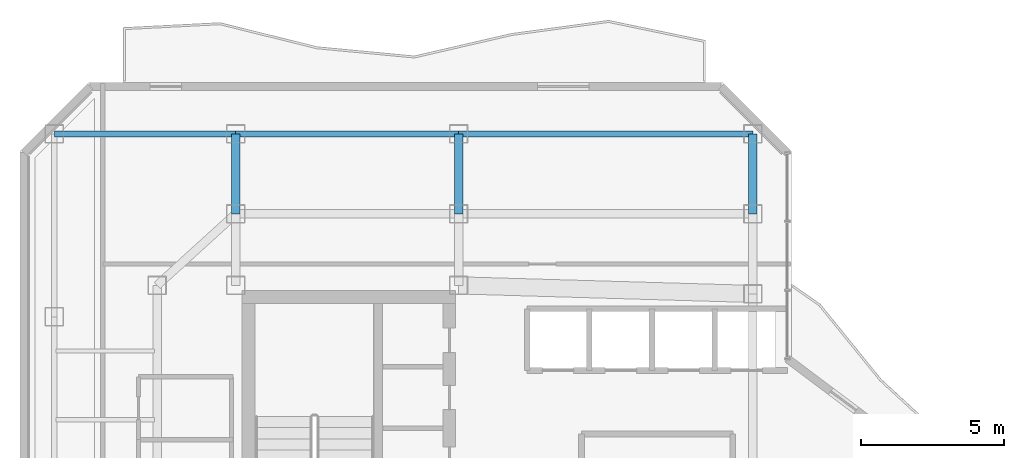
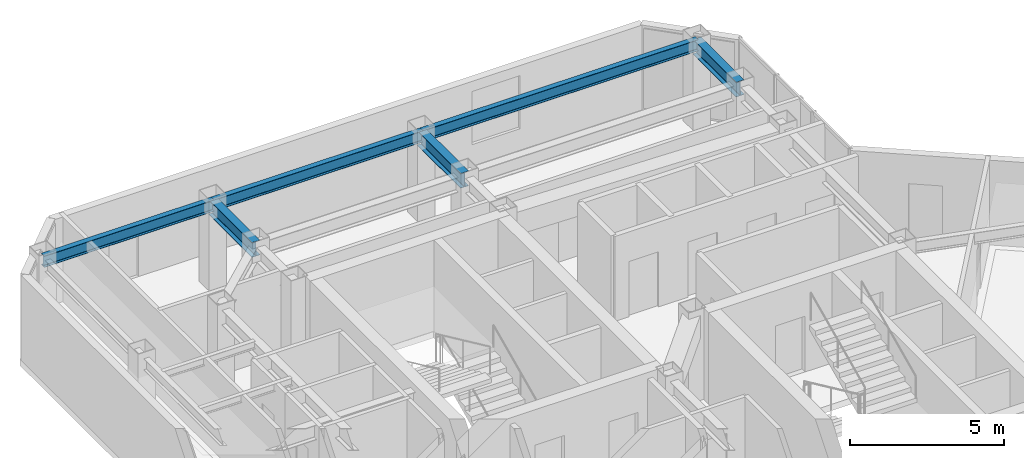
# One storey, part 11 of 18: 6 beams.
"""IFC4 building model written with IfcOpenShell, lengths in metres."""

from ifc_helpers import new_model, si_unit, direction, frame, origin, origin_2d, place, context, subcontext, project, spatial, i_section, extrude, material, material_profile, profile_set, type_object, element, save


model = new_model("IFC4")

# Units and contexts
model_context = context("Model", 3, precision=1e-05, world=origin(), true_north=direction((0.0, 1.0)))
body_context = subcontext(model_context, "Body", "Model", "MODEL_VIEW")
ifc_project = project(units=[si_unit("LENGTHUNIT", "METRE"), si_unit("AREAUNIT", "SQUARE_METRE"), si_unit("VOLUMEUNIT", "CUBIC_METRE"), si_unit("PLANEANGLEUNIT", "RADIAN"), si_unit("MASSUNIT", "GRAM", prefix="KILO")], contexts=[model_context])

# Site, building, storey
site_placement = place(None, origin())
site = spatial("IfcSite", under=ifc_project, at=site_placement, CompositionType="ELEMENT")
building_placement = place(site_placement, origin())
building = spatial("IfcBuilding", under=site, at=building_placement, Name="Hatsunagi Terrace Concourse", CompositionType="ELEMENT")
storey_placement = place(building_placement, frame((0.0, 0.0, 250.35009765625)))
storey = spatial("IfcBuildingStorey", under=building, at=storey_placement, Name="L66", CompositionType="ELEMENT", Elevation=250.35009765625)

# Beams
ifc_material_1 = material(Name="Steel SN490B", Category="steel")
ifc_material_profile_1 = material_profile(ifc_material_1, i_section(OverallWidth=0.300048828125, OverallDepth=0.587890625, WebThickness=0.011962890625, FlangeThickness=0.02001953125, FilletRadius=0.01806640625, at=origin_2d()), Name="H-588x300x12x20")
ifc_profile_set_1 = profile_set([ifc_material_profile_1], Name="Steel SN490B")
beam_type_1 = type_object("IfcBeamType", Name="OfficeHighGirder_H_588x300", PredefinedType="BEAM", material=ifc_profile_set_1)
for number, where, z_axis, x_axis, name in (
    (1, (25.550048828125, 45.800048828125, 3.055908203125), (0.0, 1.0, 0.0), (-1.0, 0.0, 0.0), "Beam G-06 BM-L66-KN-WN4"),
    (2, (33.35009765625, 45.800048828125, 3.055908203125), (0.0, 1.0, 0.0), (-1.0, 0.0, 0.0), "Beam G-06 BM-L66-KN-WN5"),
    (3, (43.64990234375, 45.800048828125, 3.055908203125), (0.0, 1.0, 0.0), (-1.0, 0.0, 0.0), "Beam G-06 BM-L66-KN-WN6"),
):
    element("IfcBeam", number, at=place(storey_placement, frame(where, z_axis=z_axis, x_axis=x_axis)), inside=storey, type_object=beam_type_1, Name=name, PredefinedType="BEAM", context=body_context, shape_type="SweptSolid", body=[
        extrude(i_section(OverallWidth=0.300048828125, OverallDepth=0.587890625, WebThickness=0.011962890625, FlangeThickness=0.02001953125, FilletRadius=0.01806640625, at=origin_2d()), origin(), (0.0, 0.0, 1.0), 2.800048828125),
    ])
ifc_material_2 = material(Name="Steel SN490B", Category="steel")
ifc_material_profile_2 = material_profile(ifc_material_2, i_section(OverallWidth=0.199951171875, OverallDepth=0.449951171875, WebThickness=0.009033203125, FlangeThickness=0.013916015625, FilletRadius=0.01611328125, at=origin_2d()), Name="H-450x200x9x14")
ifc_profile_set_2 = profile_set([ifc_material_profile_2], Name="Steel SN490B")
beam_type_2 = type_object("IfcBeamType", Name="PerimeterSpandrel_H_450x200", PredefinedType="SPANDREL", material=ifc_profile_set_2)
beam_1_placement = place(storey_placement, frame((19.199951171875, 48.60009765625, 3.125), z_axis=(1.0, 0.0, 0.0), x_axis=(0.0, 1.0, 0.0)))
element("IfcBeam", 4, at=beam_1_placement, inside=storey, type_object=beam_type_2, Name="Beam SP-02 BM-L66-WN-19", PredefinedType="SPANDREL", context=body_context, shape_type="SweptSolid", body=[
    extrude(i_section(OverallWidth=0.199951171875, OverallDepth=0.449951171875, WebThickness=0.009033203125, FlangeThickness=0.013916015625, FilletRadius=0.01611328125, at=origin_2d()), origin(), (0.0, 0.0, 1.0), 6.35009765625),
])
beam_2_placement = place(storey_placement, frame((25.550048828125, 48.60009765625, 3.125), z_axis=(1.0, 0.0, 0.0), x_axis=(0.0, 1.0, 0.0)))
element("IfcBeam", 5, at=beam_2_placement, inside=storey, type_object=beam_type_2, Name="Beam SP-02 BM-L66-WN-25", PredefinedType="SPANDREL", context=body_context, shape_type="SweptSolid", body=[
    extrude(i_section(OverallWidth=0.199951171875, OverallDepth=0.449951171875, WebThickness=0.009033203125, FlangeThickness=0.013916015625, FilletRadius=0.01611328125, at=origin_2d()), origin(), (0.0, 0.0, 1.0), 7.800048828125),
])
beam_3_placement = place(storey_placement, frame((33.35009765625, 48.60009765625, 3.125), z_axis=(1.0, 0.0, 0.0), x_axis=(0.0, 1.0, 0.0)))
element("IfcBeam", 6, at=beam_3_placement, inside=storey, type_object=beam_type_2, Name="Beam SP-02 BM-L66-WN-33", PredefinedType="SPANDREL", context=body_context, shape_type="SweptSolid", body=[
    extrude(i_section(OverallWidth=0.199951171875, OverallDepth=0.449951171875, WebThickness=0.009033203125, FlangeThickness=0.013916015625, FilletRadius=0.01611328125, at=origin_2d()), origin(), (0.0, 0.0, 1.0), 10.2998046875),
])

save(model, "model.ifc")
